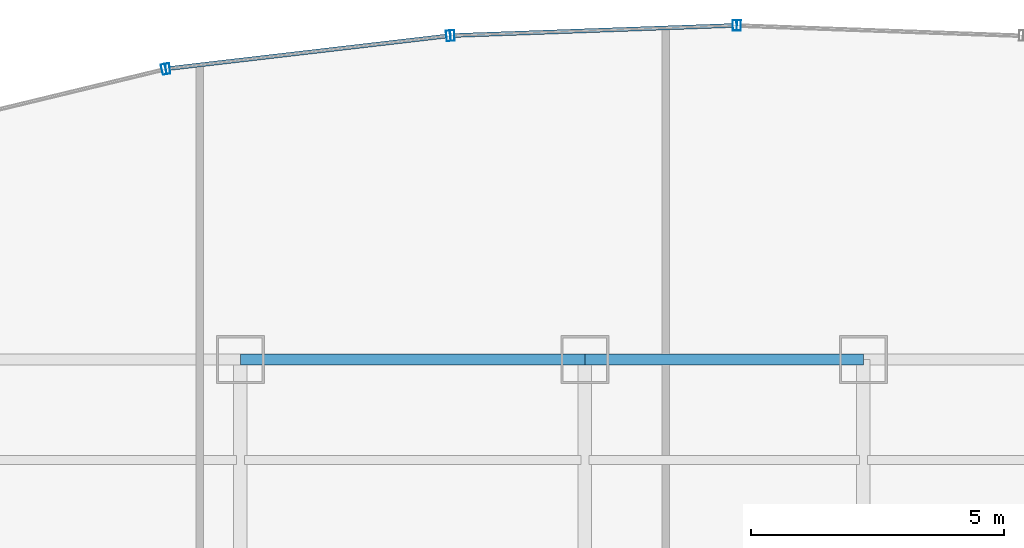
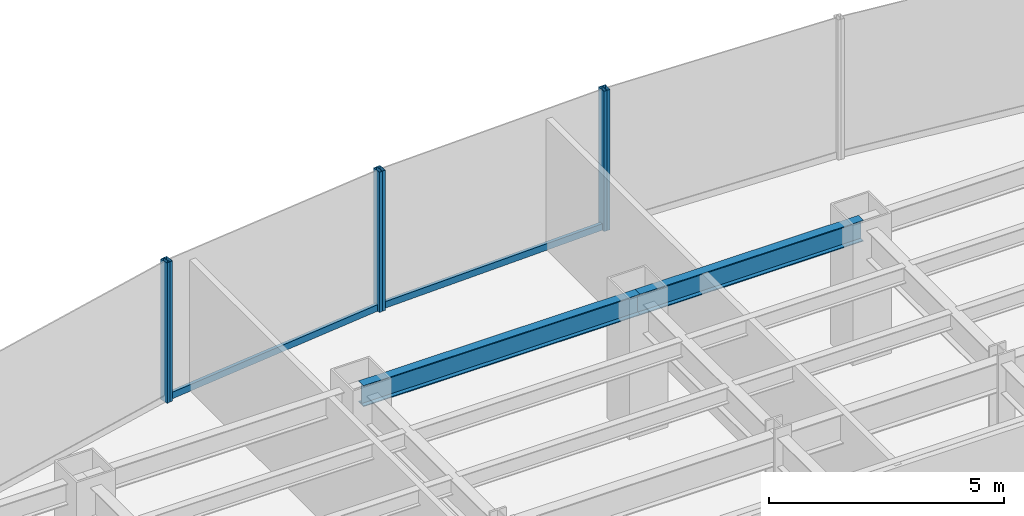
# One storey, part 13 of 23: 8 members, 2 beams, 4 elements without a shape of their own.
"""IFC4 building model written with IfcOpenShell, lengths in metres."""

from ifc_helpers import new_model, si_unit, derived_unit, direction, frame, origin, origin_2d, place, context, subcontext, project, spatial, hollow_rectangle, i_section, extrude, source, transform, mapped, material, material_profile, profile_set, type_object, element, aggregate, save


model = new_model("IFC4")

# Units and contexts
model_context = context("Model", 3, precision=1e-05, world=origin(), true_north=direction((0.0, 1.0)))
body_context = subcontext(model_context, "Body", "Model", "MODEL_VIEW")
ifc_project = project(units=[si_unit("LENGTHUNIT", "METRE"), si_unit("AREAUNIT", "SQUARE_METRE"), si_unit("VOLUMEUNIT", "CUBIC_METRE"), si_unit("PLANEANGLEUNIT", "RADIAN"), si_unit("MASSUNIT", "GRAM", prefix="KILO"), derived_unit("THERMALTRANSMITTANCEUNIT", [(si_unit("POWERUNIT", "WATT"), 1), (si_unit("LENGTHUNIT", "METRE"), -2), (si_unit("THERMODYNAMICTEMPERATUREUNIT", "KELVIN"), -1)])], contexts=[model_context])

# Site, building, storey
site_placement = place(None, origin())
site = spatial("IfcSite", under=ifc_project, at=site_placement, CompositionType="ELEMENT")
building_placement = place(site_placement, origin())
building = spatial("IfcBuilding", under=site, at=building_placement, Name="Skarnbrae Concourse Arena and Tower", CompositionType="ELEMENT")
storey_placement = place(building_placement, frame((0.0, 0.0, 47.10009765625)))
storey = spatial("IfcBuildingStorey", under=building, at=storey_placement, Name="L10", CompositionType="ELEMENT", Elevation=47.10009765625)

# Beams
ifc_material_1 = material(Name="Steel CSA G40.21 350W", Category="steel")
ifc_material_profile_1 = material_profile(ifc_material_1, i_section(OverallWidth=0.214111328125, OverallDepth=0.549072265625, WebThickness=0.0146484375, FlangeThickness=0.023681640625, at=origin_2d()), Name="W530X138")
ifc_profile_set_1 = profile_set([ifc_material_profile_1], Name="Steel CSA G40.21 350W")
beam_type = type_object("IfcBeamType", Name="BM-SPAN-W530X138", PredefinedType="SPANDREL", material=ifc_profile_set_1)
shared_shape_1 = source(origin(), body_context, "Body", "SweptSolid", [
    extrude(i_section(OverallWidth=0.214111328125, OverallDepth=0.549072265625, WebThickness=0.0146484375, FlangeThickness=0.023681640625, at=origin_2d()), origin(), (0.0, 0.0, 1.0), 6.800048828125),
])
beam_1_placement = place(storey_placement, frame((21.199951171875, 40.39990234375, 3.12548828125), z_axis=(1.0, 0.0, 0.0), x_axis=(0.0, 1.0, 0.0)))
element("IfcBeam", 1, at=beam_1_placement, inside=storey, type_object=beam_type, Name="L10 Perimeter spandrel Y40.4-3", PredefinedType="SPANDREL", context=body_context, shape_type="MappedRepresentation", body=[
    mapped(shared_shape_1, transform((0.0, 0.0, 0.0))),
])
shared_shape_2 = source(origin(), body_context, "Body", "SweptSolid", [
    extrude(i_section(OverallWidth=0.214111328125, OverallDepth=0.549072265625, WebThickness=0.0146484375, FlangeThickness=0.023681640625, at=origin_2d()), origin(), (0.0, 0.0, 1.0), 5.5),
])
beam_2_placement = place(storey_placement, frame((28.0, 40.39990234375, 3.12548828125), z_axis=(1.0, 0.0, 0.0), x_axis=(0.0, 1.0, 0.0)))
element("IfcBeam", 2, at=beam_2_placement, inside=storey, type_object=beam_type, Name="L10 Perimeter spandrel Y40.4-4", PredefinedType="SPANDREL", context=body_context, shape_type="MappedRepresentation", body=[
    mapped(shared_shape_2, transform((0.0, 0.0, 0.0))),
])

# Curtain wall, member
ifc_material_2 = material(Name="Bronze anodised aluminium 6063-T6", Category="aluminium")
curtain_wall_type = type_object("IfcCurtainWallType", Name="CW-SYS-03-PORTAL", PredefinedType="USERDEFINED", material=ifc_material_2)
curtain_wall_1_placement = place(storey_placement, origin())
curtain_wall_1 = element("IfcCurtainWall", 3, at=curtain_wall_1_placement, inside=storey, type_object=curtain_wall_type, Name="L10 Unitised curtain wall CW-L10-E13", ObjectType="UNITISED CURTAIN WALL", PredefinedType="USERDEFINED")
ifc_material_profile_2 = material_profile(ifc_material_2, hollow_rectangle(XDim=0.080078125, YDim=0.169921875, WallThickness=0.00439453125, at=origin_2d()), Name="ALU-TRAN-80X170")
ifc_profile_set_2 = profile_set([ifc_material_profile_2], Name="Bronze anodised aluminium 6063-T6")
member_type_1 = type_object("IfcMemberType", Name="CWT-CW-03", PredefinedType="USERDEFINED", material=ifc_profile_set_2)
shared_shape_3 = source(origin(), body_context, "Body", "SweptSolid", [
    extrude(hollow_rectangle(XDim=0.080078125, YDim=0.169921875, WallThickness=0.00439453125, at=origin_2d()), origin(), (0.0, 0.0, 1.0), 5.49658203125),
])
member_1_placement = place(storey_placement, frame((25.2666015625, 46.78759765625, 0.0849609375), z_axis=(-0.993247281455, -0.116016541417, 0.0), x_axis=(0.116016541417, -0.993247281455, 0.0)))
member_1 = element("IfcMember", 4, at=member_1_placement, type_object=member_type_1, Name="CW-L10-E13 Transom 1", ObjectType="TRANSOM", PredefinedType="USERDEFINED", context=body_context, shape_type="MappedRepresentation", body=[
    mapped(shared_shape_3, transform((0.0, 0.0, 0.0))),
])

curtain_wall_2_placement = place(storey_placement, origin())
curtain_wall_2 = element("IfcCurtainWall", 5, at=curtain_wall_2_placement, inside=storey, type_object=curtain_wall_type, Name="L10 Unitised curtain wall CW-L10-E12", ObjectType="UNITISED CURTAIN WALL", PredefinedType="USERDEFINED")
shared_shape_4 = source(origin(), body_context, "Body", "SweptSolid", [
    extrude(hollow_rectangle(XDim=0.080078125, YDim=0.169921875, WallThickness=0.00439453125, at=origin_2d()), origin(), (0.0, 0.0, 1.0), 5.497802734375),
])
member_2_placement = place(storey_placement, frame((30.920166015625, 46.9970703125, 0.0849609375), z_axis=(-0.999356047798, -0.03588160712, 0.0), x_axis=(0.03588160712, -0.999356047798, 0.0)))
member_2 = element("IfcMember", 6, at=member_2_placement, type_object=member_type_1, Name="CW-L10-E12 Transom 1", ObjectType="TRANSOM", PredefinedType="USERDEFINED", context=body_context, shape_type="MappedRepresentation", body=[
    mapped(shared_shape_4, transform((0.0, 0.0, 0.0))),
])

curtain_wall_3_placement = place(storey_placement, origin())
curtain_wall_3 = element("IfcCurtainWall", 7, at=curtain_wall_3_placement, inside=storey, type_object=curtain_wall_type, Name="L10 Unitised curtain wall CW-L10-E11", ObjectType="UNITISED CURTAIN WALL", PredefinedType="USERDEFINED")
ifc_material_profile_3 = material_profile(ifc_material_2, hollow_rectangle(XDim=0.080078125, YDim=0.2099609375, WallThickness=0.00439453125, at=origin_2d()), Name="ALU-MULL-80X210")
ifc_profile_set_3 = profile_set([ifc_material_profile_3], Name="Bronze anodised aluminium 6063-T6")
member_type_2 = type_object("IfcMemberType", Name="CWM-CW-03", PredefinedType="MULLION", material=ifc_profile_set_3)
shared_shape_5 = source(origin(), body_context, "Body", "SweptSolid", [
    extrude(hollow_rectangle(XDim=0.080078125, YDim=0.2099609375, WallThickness=0.00439453125, at=origin_2d()), origin(), (0.0, 0.0, 1.0), 3.64990234375),
])
member_3_placement = place(storey_placement, frame((31.0400390625, 46.99853515625, 0.0), z_axis=(0.0, 0.0, 1.0), x_axis=(-0.999355425188, 0.035898943527, 0.0)))
member_3 = element("IfcMember", 8, at=member_3_placement, type_object=member_type_2, Name="CW-L10-E11 Mullion 2", PredefinedType="MULLION", context=body_context, shape_type="MappedRepresentation", body=[
    mapped(shared_shape_5, transform((0.0, 0.0, 0.0))),
])
aggregate(curtain_wall_3, [member_3])

# Member
member_4_placement = place(storey_placement, frame((30.9599609375, 46.99853515625, 0.0), z_axis=(0.0, 0.0, 1.0), x_axis=(-0.999355425188, -0.035898943527, 0.0)))
member_4 = element("IfcMember", 9, at=member_4_placement, type_object=member_type_2, Name="CW-L10-E12 Mullion 1", PredefinedType="MULLION", context=body_context, shape_type="MappedRepresentation", body=[
    mapped(shared_shape_5, transform((0.0, 0.0, 0.0))),
])

member_5_placement = place(storey_placement, frame((25.385986328125, 46.79833984375, 0.0), z_axis=(0.0, 0.0, 1.0), x_axis=(-0.999355425188, -0.035898943527, 0.0)))
member_5 = element("IfcMember", 10, at=member_5_placement, type_object=member_type_2, Name="CW-L10-E12 Mullion 2", PredefinedType="MULLION", context=body_context, shape_type="MappedRepresentation", body=[
    mapped(shared_shape_5, transform((0.0, 0.0, 0.0))),
])

aggregate(curtain_wall_2, [member_4, member_5, member_2])

member_6_placement = place(storey_placement, frame((25.306396484375, 46.792236328125, 0.0), z_axis=(0.0, 0.0, 1.0), x_axis=(-0.99324457001, -0.116039752435, 0.0)))
member_6 = element("IfcMember", 11, at=member_6_placement, type_object=member_type_2, Name="CW-L10-E13 Mullion 1", PredefinedType="MULLION", context=body_context, shape_type="MappedRepresentation", body=[
    mapped(shared_shape_5, transform((0.0, 0.0, 0.0))),
])

member_7_placement = place(storey_placement, frame((19.767333984375, 46.14501953125, 0.0), z_axis=(0.0, 0.0, 1.0), x_axis=(-0.99324457001, -0.116039752435, 0.0)))
member_7 = element("IfcMember", 12, at=member_7_placement, type_object=member_type_2, Name="CW-L10-E13 Mullion 2", PredefinedType="MULLION", context=body_context, shape_type="MappedRepresentation", body=[
    mapped(shared_shape_5, transform((0.0, 0.0, 0.0))),
])

aggregate(curtain_wall_1, [member_6, member_7, member_1])

# Curtain wall, member
curtain_wall_4_placement = place(storey_placement, origin())
curtain_wall_4 = element("IfcCurtainWall", 13, at=curtain_wall_4_placement, inside=storey, type_object=curtain_wall_type, Name="L10 Unitised curtain wall CW-L10-E14", ObjectType="UNITISED CURTAIN WALL", PredefinedType="USERDEFINED")
member_8_placement = place(storey_placement, frame((19.688720703125, 46.131103515625, 0.0), z_axis=(0.0, 0.0, 1.0), x_axis=(-0.971973721569, -0.235089524607, 0.0)))
member_8 = element("IfcMember", 14, at=member_8_placement, type_object=member_type_2, Name="CW-L10-E14 Mullion 1", PredefinedType="MULLION", context=body_context, shape_type="MappedRepresentation", body=[
    mapped(shared_shape_5, transform((0.0, 0.0, 0.0))),
])
aggregate(curtain_wall_4, [member_8])

save(model, "model.ifc")
